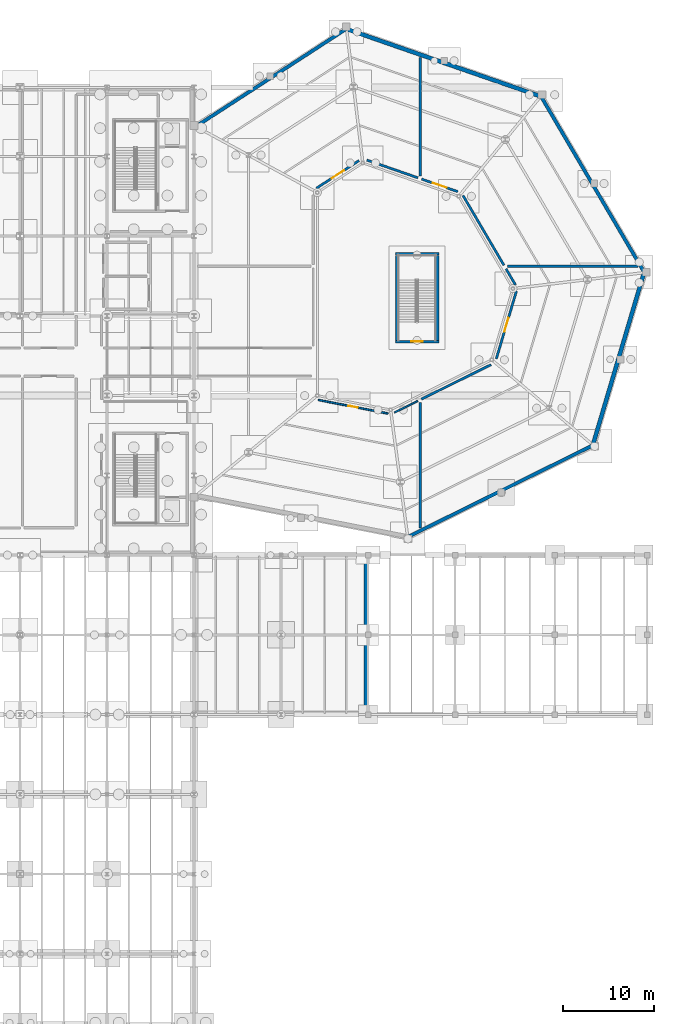
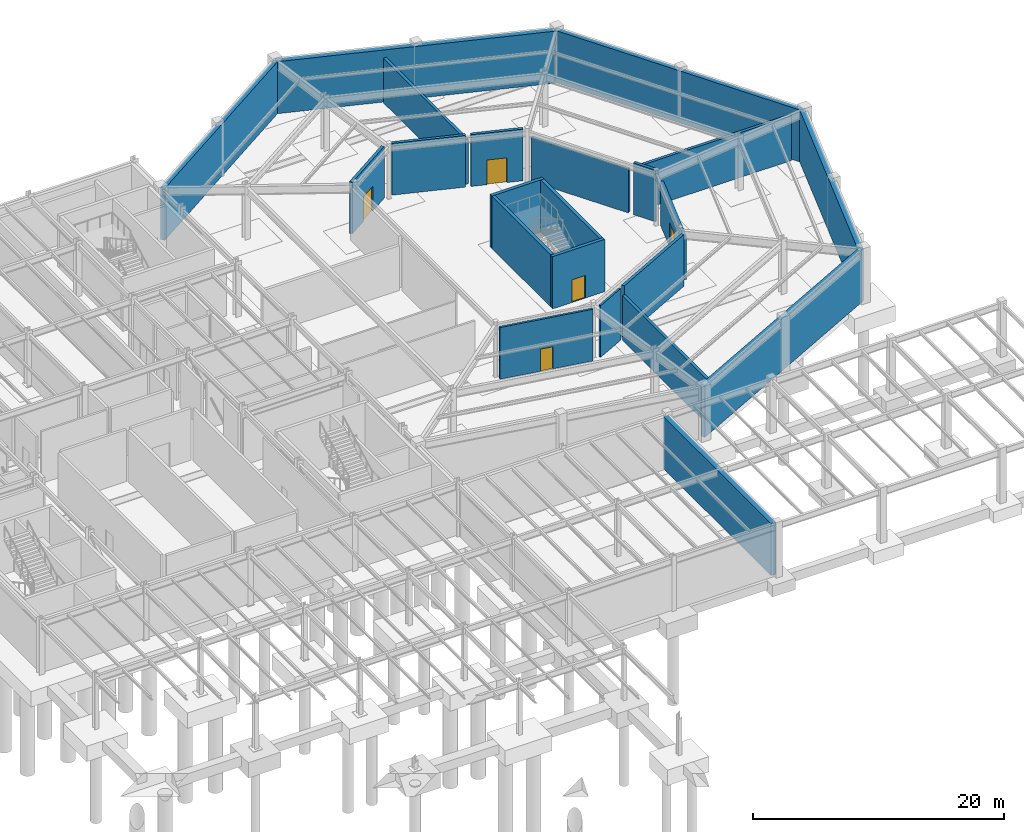
# One storey, part 37 of 48: 22 walls, 5 doors, 5 openings.
"""IFC4 building model written with IfcOpenShell, lengths in metres."""

from ifc_helpers import new_model, si_unit, direction, frame, frame_2d, origin, place, context, subcontext, project, spatial, rectangle, extrude, material, layer, layer_set, type_object, element, fill, save


model = new_model("IFC4")

# Units and contexts
model_context = context("Model", 3, precision=1e-05, world=origin(), true_north=direction((0.0, 1.0)))
body_context = subcontext(model_context, "Body", "Model", "MODEL_VIEW")
ifc_project = project(units=[si_unit("LENGTHUNIT", "METRE"), si_unit("AREAUNIT", "SQUARE_METRE"), si_unit("VOLUMEUNIT", "CUBIC_METRE"), si_unit("PLANEANGLEUNIT", "RADIAN"), si_unit("MASSUNIT", "GRAM", prefix="KILO")], contexts=[model_context])

# Site, building, storey
site_placement = place(None, origin())
site = spatial("IfcSite", under=ifc_project, at=site_placement, CompositionType="ELEMENT")
building_placement = place(site_placement, origin())
building = spatial("IfcBuilding", under=site, at=building_placement, Name="Sarnbrook Museum", CompositionType="ELEMENT")
storey_placement = place(building_placement, frame((0.0, 0.0, -5.39990234375)))
storey = spatial("IfcBuildingStorey", under=building, at=storey_placement, Name="B1", CompositionType="ELEMENT", Elevation=-5.39990234375)

# Wall, opening, door
ifc_material_1 = material(Name="Concrete N50 (AS 3600, f'c = 50 MPa)", Category="concrete")
ifc_layer_1 = layer(ifc_material_1, 0.300048828125)
ifc_layer_set_1 = layer_set([ifc_layer_1], Name="Concrete N50 (AS 3600, f'c = 50 MPa)")
wall_type_1 = type_object("IfcWallType", Name="CoreWall_CWRC", PredefinedType="SHEAR", material=ifc_layer_set_1)
wall_1_placement = place(storey_placement, frame((141.39990234375, 80.35009765625, 0.0), z_axis=(0.0, 0.0, 1.0), x_axis=(1.0, 0.0, 0.0)))
wall_1 = element("IfcWall", 1, at=wall_1_placement, inside=storey, type_object=wall_type_1, Name="Core C7 Shear Wall S B1", PredefinedType="SHEAR", context=body_context, shape_type="SweptSolid", body=[
    extrude(rectangle(XDim=4.800048828125, YDim=0.300048828125, at=frame_2d((2.39990234375, 0.0))), origin(), (0.0, 0.0, 1.0), 5.0849609375),
])
opening_1_placement = place(wall_1_placement, frame((1.77490234375, 0.0, 0.0)))
opening_1 = element("IfcOpeningElement", 2, at=opening_1_placement, cuts=wall_1, Name="Opening D-ST-ST7-B1", PredefinedType="OPENING", context=body_context, shape_type="SweptSolid", body=[
    extrude(rectangle(XDim=1.25, YDim=2.199951171875, at=frame_2d((0.625, 1.10009765625))), frame((0.0, 0.16015625, 0.0), z_axis=(0.0, -1.0, 0.0), x_axis=(1.0, 0.0, 0.0)), (0.0, 0.0, 1.0), 0.320068359375),
])
ifc_material_2 = material(Name="Tasmanian Oak Acoustic Timber", Category="wood")
door_type_1 = type_object("IfcDoorType", Name="FireDoor_FD120", OperationType="NOTDEFINED", PredefinedType="DOOR", material=ifc_material_2)
door_1_placement = place(opening_1_placement, origin())
door_1 = element("IfcDoor", 3, at=door_1_placement, inside=storey, type_object=door_type_1, Name="Exit Stair ST7 Fire Door B1", OperationType="SINGLE_SWING_LEFT", OverallHeight=2.199951171875, OverallWidth=1.25, PredefinedType="DOOR", context=body_context, shape_type="SweptSolid", body=[
    extrude(rectangle(XDim=1.25, YDim=2.199951171875, at=frame_2d((0.625, 1.10009765625))), frame((0.0, 0.02490234375, 0.0), z_axis=(0.0, -1.0, 0.0), x_axis=(1.0, 0.0, 0.0)), (0.0, 0.0, 1.0), 0.050048828125),
])
fill(opening_1, door_1)

# Walls
wall_2_placement = place(storey_placement, frame((146.199951171875, 90.050048828125, 0.0), z_axis=(0.0, 0.0, 1.0), x_axis=(-1.0, 0.0, 0.0)))
element("IfcWall", 4, at=wall_2_placement, inside=storey, type_object=wall_type_1, Name="Core C7 Shear Wall N B1", PredefinedType="SHEAR", context=body_context, shape_type="SweptSolid", body=[
    extrude(rectangle(XDim=4.800048828125, YDim=0.300048828125, at=frame_2d((2.39990234375, 0.0))), origin(), (0.0, 0.0, 1.0), 5.0849609375),
])
for number, where, z_axis, x_axis, name in (
    (5, (146.050048828125, 80.510009765625, 0.0), (0.0, 0.0, 1.0), (0.0, 1.0, 0.0), "Core C7 Shear Wall E B1"),
    (6, (141.550048828125, 89.889892578125, 0.0), (0.0, 0.0, 1.0), (0.0, -1.0, 0.0), "Core C7 Shear Wall W B1"),
):
    element("IfcWall", number, at=place(storey_placement, frame(where, z_axis=z_axis, x_axis=x_axis)), inside=storey, type_object=wall_type_1, Name=name, PredefinedType="SHEAR", context=body_context, shape_type="SweptSolid", body=[
        extrude(rectangle(XDim=9.3798828125, YDim=0.300048828125, at=frame_2d((4.68994140625, 0.0))), origin(), (0.0, 0.0, 1.0), 5.0849609375),
    ])

# Wall, opening, door
ifc_material_3 = material(Name="Concrete N40 (AS 3600, f'c = 40 MPa)", Category="concrete")
ifc_layer_2 = layer(ifc_material_3, 0.260009765625)
ifc_layer_set_2 = layer_set([ifc_layer_2], Name="Concrete N40 (AS 3600, f'c = 40 MPa)")
wall_type_2 = type_object("IfcWallType", Name="FireWall_FW240", PredefinedType="SOLIDWALL", material=ifc_layer_set_2)
wall_3_placement = place(storey_placement, frame((137.409423828125, 100.339111328125, 0.0), z_axis=(0.0, 0.0, 1.0), x_axis=(-0.838914477988, -0.544263262238, 0.0)))
wall_3 = element("IfcWall", 7, at=wall_3_placement, inside=storey, type_object=wall_type_2, Name="Interior Partition Wall B1-0020", PredefinedType="SOLIDWALL", context=body_context, shape_type="SweptSolid", body=[
    extrude(rectangle(XDim=5.599609375, YDim=0.260009765625, at=frame_2d((2.7998046875, 0.0))), origin(), (0.0, 0.0, 1.0), 5.02978515625),
])
opening_2_placement = place(wall_3_placement, frame((1.999755859375, 0.0, 0.0)))
opening_2 = element("IfcOpeningElement", 8, at=opening_2_placement, cuts=wall_3, Name="Opening D-B1-009", PredefinedType="OPENING", context=body_context, shape_type="SweptSolid", body=[
    extrude(rectangle(XDim=1.60009765625, YDim=2.39990234375, at=frame_2d((0.800048828125, 1.199951171875))), frame((0.0, 0.14013671875, 0.0), z_axis=(0.0, -1.0, 0.0), x_axis=(1.0, 0.0, 0.0)), (0.0, 0.0, 1.0), 0.280029296875),
])
ifc_material_4 = material(Name="Patinated Architectural Bronze")
door_type_2 = type_object("IfcDoorType", Name="FireDoor_FD240", OperationType="NOTDEFINED", PredefinedType="DOOR", material=ifc_material_4)
door_2_placement = place(opening_2_placement, frame((1.60009765625, 0.0, 0.0), z_axis=(0.0, 0.0, 1.0), x_axis=(-1.0, 0.0, 0.0)))
door_2 = element("IfcDoor", 9, at=door_2_placement, inside=storey, type_object=door_type_2, Name="Palaeontology Vault B1-3 Door D-B1-009", OperationType="DOUBLE_DOOR_SINGLE_SWING", OverallHeight=2.39990234375, OverallWidth=1.60009765625, PredefinedType="DOOR", context=body_context, shape_type="SweptSolid", body=[
    extrude(rectangle(XDim=1.60009765625, YDim=2.39990234375, at=frame_2d((0.800048828125, 1.199951171875))), frame((0.0, 0.02490234375, 0.0), z_axis=(0.0, -1.0, 0.0), x_axis=(1.0, 0.0, 0.0)), (0.0, 0.0, 1.0), 0.050048828125),
])
fill(opening_2, door_2)

# Wall
wall_4_placement = place(storey_placement, frame((143.900634765625, 98.4365234375, 0.0), z_axis=(0.0, 0.0, 1.0), x_axis=(-0.944669438021, 0.328023860214, 0.0)))
element("IfcWall", 10, at=wall_4_placement, inside=storey, type_object=wall_type_2, Name="Interior Partition Wall B1-0022", PredefinedType="SOLIDWALL", context=body_context, shape_type="SweptSolid", body=[
    extrude(rectangle(XDim=5.966796875, YDim=0.260009765625, at=frame_2d((2.9833984375, 0.0))), origin(), (0.0, 0.0, 1.0), 5.02978515625),
])

# Wall, opening, door
wall_5_placement = place(storey_placement, frame((152.54931640625, 78.45556640625, 0.0), z_axis=(0.0, 0.0, 1.0), x_axis=(0.284584370511, 0.958650998049, 0.0)))
wall_5 = element("IfcWall", 11, at=wall_5_placement, inside=storey, type_object=wall_type_2, Name="Interior Partition Wall B1-0023", PredefinedType="SOLIDWALL", context=body_context, shape_type="SweptSolid", body=[
    extrude(rectangle(XDim=7.808349609375, YDim=0.260009765625, at=frame_2d((3.904296875, 0.0))), origin(), (0.0, 0.0, 1.0), 4.260009765625),
])
opening_3_placement = place(wall_5_placement, frame((3.104248046875, 0.0, 0.0)))
opening_3 = element("IfcOpeningElement", 12, at=opening_3_placement, cuts=wall_5, Name="Opening D-B1-010", PredefinedType="OPENING", context=body_context, shape_type="SweptSolid", body=[
    extrude(rectangle(XDim=1.60009765625, YDim=2.39990234375, at=frame_2d((0.800048828125, 1.199951171875))), frame((0.0, 0.14013671875, 0.0), z_axis=(0.0, -1.0, 0.0), x_axis=(1.0, 0.0, 0.0)), (0.0, 0.0, 1.0), 0.280029296875),
])
door_3_placement = place(opening_3_placement, origin())
door_3 = element("IfcDoor", 13, at=door_3_placement, inside=storey, type_object=door_type_2, Name="Mineralogy Collection Vault B1-4 Door D-B1-010", OperationType="DOUBLE_DOOR_SINGLE_SWING", OverallHeight=2.39990234375, OverallWidth=1.60009765625, PredefinedType="DOOR", context=body_context, shape_type="SweptSolid", body=[
    extrude(rectangle(XDim=1.60009765625, YDim=2.39990234375, at=frame_2d((0.800048828125, 1.199951171875))), frame((0.0, 0.02490234375, 0.0), z_axis=(0.0, -1.0, 0.0), x_axis=(1.0, 0.0, 0.0)), (0.0, 0.0, 1.0), 0.050048828125),
])
fill(opening_3, door_3)

# Walls
wall_6_placement = place(storey_placement, frame((154.657958984375, 86.62890625, 0.0), z_axis=(0.0, 0.0, 1.0), x_axis=(-0.506013427862, 0.862525600097, 0.0)))
element("IfcWall", 14, at=wall_6_placement, inside=storey, type_object=wall_type_2, Name="Interior Partition Wall B1-0024", PredefinedType="SOLIDWALL", context=body_context, shape_type="SweptSolid", body=[
    extrude(rectangle(XDim=2.046142578125, YDim=0.260009765625, at=frame_2d((1.02294921875, 0.0))), origin(), (0.0, 0.0, 1.0), 5.02978515625),
])
wall_7_placement = place(storey_placement, frame((144.288818359375, 74.010986328125, 0.0), z_axis=(0.0, 0.0, 1.0), x_axis=(0.896175386907, 0.443699984113, 0.0)))
element("IfcWall", 15, at=wall_7_placement, inside=storey, type_object=wall_type_2, Name="Interior Partition Wall B1-0025", PredefinedType="SOLIDWALL", context=body_context, shape_type="SweptSolid", body=[
    extrude(rectangle(XDim=8.56884765625, YDim=0.260009765625, at=frame_2d((4.284423828125, 0.0))), origin(), (0.0, 0.0, 1.0), 5.02978515625),
])

# Wall, opening, door
wall_8_placement = place(storey_placement, frame((148.309326171875, 96.90576171875, 0.0), z_axis=(0.0, 0.0, 1.0), x_axis=(-0.944667711612, 0.328028832022, 0.0)))
wall_8 = element("IfcWall", 16, at=wall_8_placement, inside=storey, type_object=wall_type_2, Name="Interior Partition Wall B1-0026", PredefinedType="SOLIDWALL", context=body_context, shape_type="SweptSolid", body=[
    extrude(rectangle(XDim=4.236328125, YDim=0.260009765625, at=frame_2d((2.1181640625, 0.0))), origin(), (0.0, 0.0, 1.0), 5.02978515625),
])
opening_4_placement = place(wall_8_placement, frame((1.318115234375, 0.0, 0.0)))
opening_4 = element("IfcOpeningElement", 17, at=opening_4_placement, cuts=wall_8, Name="Opening D-B1-011", PredefinedType="OPENING", context=body_context, shape_type="SweptSolid", body=[
    extrude(rectangle(XDim=1.60009765625, YDim=2.39990234375, at=frame_2d((0.800048828125, 1.199951171875))), frame((0.0, 0.14013671875, 0.0), z_axis=(0.0, -1.0, 0.0), x_axis=(1.0, 0.0, 0.0)), (0.0, 0.0, 1.0), 0.280029296875),
])
door_4_placement = place(opening_4_placement, origin())
door_4 = element("IfcDoor", 18, at=door_4_placement, inside=storey, type_object=door_type_2, Name="Botany Herbarium Vault B1-5 Door D-B1-011", OperationType="DOUBLE_DOOR_SINGLE_SWING", OverallHeight=2.39990234375, OverallWidth=1.60009765625, PredefinedType="DOOR", context=body_context, shape_type="SweptSolid", body=[
    extrude(rectangle(XDim=1.60009765625, YDim=2.39990234375, at=frame_2d((0.800048828125, 1.199951171875))), frame((0.0, 0.02490234375, 0.0), z_axis=(0.0, -1.0, 0.0), x_axis=(1.0, 0.0, 0.0)), (0.0, 0.0, 1.0), 0.050048828125),
])
fill(opening_4, door_4)

# Walls
wall_9_placement = place(storey_placement, frame((153.3955078125, 88.78076171875, 0.0), z_axis=(0.0, 0.0, 1.0), x_axis=(-0.506050684721, 0.862503741727, 0.0)))
element("IfcWall", 19, at=wall_9_placement, inside=storey, type_object=wall_type_2, Name="Interior Partition Wall B1-0027", PredefinedType="SOLIDWALL", context=body_context, shape_type="SweptSolid", body=[
    extrude(rectangle(XDim=8.928466796875, YDim=0.260009765625, at=frame_2d((4.46435546875, 0.0))), origin(), (0.0, 0.0, 1.0), 4.260009765625),
])
wall_10_placement = place(storey_placement, frame((144.16015625, 73.64990234375, 0.0), z_axis=(0.0, 0.0, 1.0), x_axis=(0.0, -1.0, 0.0)))
element("IfcWall", 20, at=wall_10_placement, inside=storey, type_object=wall_type_2, Name="Interior Partition Wall B1-0114", PredefinedType="SOLIDWALL", context=body_context, shape_type="SweptSolid", body=[
    extrude(rectangle(XDim=13.86328125, YDim=0.260009765625, at=frame_2d((6.931640625, 0.0))), origin(), (0.0, 0.0, 1.0), 4.35986328125),
])
wall_11_placement = place(storey_placement, frame((144.16015625, 111.70556640625, 0.0), z_axis=(0.0, 0.0, 1.0), x_axis=(0.0, -1.0, 0.0)))
element("IfcWall", 21, at=wall_11_placement, inside=storey, type_object=wall_type_2, Name="Interior Partition Wall B1-0116", PredefinedType="SOLIDWALL", context=body_context, shape_type="SweptSolid", body=[
    extrude(rectangle(XDim=13.08447265625, YDim=0.260009765625, at=frame_2d((6.542236328125, 0.0))), origin(), (0.0, 0.0, 1.0), 4.35986328125),
])
wall_12_placement = place(storey_placement, frame((153.77685546875, 88.662841796875, 0.0), z_axis=(0.0, 0.0, 1.0), x_axis=(1.0, 0.0, 0.0)))
element("IfcWall", 22, at=wall_12_placement, inside=storey, type_object=wall_type_2, Name="Interior Partition Wall B1-0117", PredefinedType="SOLIDWALL", context=body_context, shape_type="SweptSolid", body=[
    extrude(rectangle(XDim=14.40087890625, YDim=0.260009765625, at=frame_2d((7.200439453125, 0.0))), origin(), (0.0, 0.0, 1.0), 4.35986328125),
])
ifc_material_5 = material(Name="Fire-Rated Acoustic Gypsum Plasterboard")
ifc_layer_3 = layer(ifc_material_5, 0.179931640625)
ifc_layer_set_3 = layer_set([ifc_layer_3], Name="Fire-Rated Acoustic Gypsum Plasterboard")
wall_type_3 = type_object("IfcWallType", Name="PartWall_P180", PredefinedType="PARTITIONING", material=ifc_layer_set_3)
wall_13_placement = place(storey_placement, frame((141.314697265625, 72.538330078125, 0.0), z_axis=(0.0, 0.0, 1.0), x_axis=(0.89618477276, 0.443681026272, 0.0)))
element("IfcWall", 23, at=wall_13_placement, inside=storey, type_object=wall_type_3, Name="Interior Partition Wall B1-0016", PredefinedType="PARTITIONING", context=body_context, shape_type="SweptSolid", body=[
    extrude(rectangle(XDim=2.8779296875, YDim=0.179931640625, at=frame_2d((1.43896484375, 0.0))), origin(), (0.0, 0.0, 1.0), 5.02978515625),
])

# Wall, opening, door
ifc_layer_4 = layer(ifc_material_5, 0.195068359375)
ifc_layer_set_4 = layer_set([ifc_layer_4], Name="Fire-Rated Acoustic Gypsum Plasterboard")
wall_type_4 = type_object("IfcWallType", Name="PartWall_P195", PredefinedType="PARTITIONING", material=ifc_layer_set_4)
wall_14_placement = place(storey_placement, frame((132.902099609375, 73.9267578125, 0.0), z_axis=(0.0, 0.0, 1.0), x_axis=(0.98152920164, -0.191312378918, 0.0)))
wall_14 = element("IfcWall", 24, at=wall_14_placement, inside=storey, type_object=wall_type_4, Name="Interior Partition Wall B1-0015", PredefinedType="PARTITIONING", context=body_context, shape_type="SweptSolid", body=[
    extrude(rectangle(XDim=7.85205078125, YDim=0.195068359375, at=frame_2d((3.926025390625, 0.0))), origin(), (0.0, 0.0, 1.0), 5.02978515625),
])
opening_5_placement = place(wall_14_placement, frame((3.401123046875, 0.0, 0.0)))
opening_5 = element("IfcOpeningElement", 25, at=opening_5_placement, cuts=wall_14, Name="Opening D-B1-007", PredefinedType="OPENING", context=body_context, shape_type="SweptSolid", body=[
    extrude(rectangle(XDim=1.050048828125, YDim=2.14990234375, at=frame_2d((0.52490234375, 1.074951171875))), frame((0.0, 0.107421875, 0.0), z_axis=(0.0, -1.0, 0.0), x_axis=(1.0, 0.0, 0.0)), (0.0, 0.0, 1.0), 0.215087890625),
])
door_type_3 = type_object("IfcDoorType", Name="FireDoor_FD60", OperationType="NOTDEFINED", PredefinedType="DOOR", material=ifc_material_2)
door_5_placement = place(opening_5_placement, frame((1.050048828125, 0.0, 0.0), z_axis=(0.0, 0.0, 1.0), x_axis=(-1.0, 0.0, 0.0)))
door_5 = element("IfcDoor", 26, at=door_5_placement, inside=storey, type_object=door_type_3, Name="Specimen Quarantine Room B1-1 Door D-B1-007", OperationType="SINGLE_SWING_RIGHT", OverallHeight=2.14990234375, OverallWidth=1.050048828125, PredefinedType="DOOR", context=body_context, shape_type="SweptSolid", body=[
    extrude(rectangle(XDim=1.050048828125, YDim=2.14990234375, at=frame_2d((0.52490234375, 1.074951171875))), frame((0.0, 0.02490234375, 0.0), z_axis=(0.0, -1.0, 0.0), x_axis=(1.0, 0.0, 0.0)), (0.0, 0.0, 1.0), 0.050048828125),
])
fill(opening_5, door_5)

# Walls
ifc_layer_5 = layer(ifc_material_3, 0.3798828125)
ifc_layer_set_5 = layer_set([ifc_layer_5], Name="Concrete N40 (AS 3600, f'c = 40 MPa)")
wall_type_5 = type_object("IfcWallType", Name="Wall_RetainingRC380", PredefinedType="USERDEFINED", material=ifc_layer_set_5)
wall_15_placement = place(storey_placement, frame((142.891357421875, 58.857177734375, 0.0), z_axis=(0.0, 0.0, 1.0), x_axis=(0.896160082765, 0.443730893739, 0.0)))
element("IfcWall", 27, at=wall_15_placement, inside=storey, type_object=wall_type_5, Name="Basement Perimeter Retaining Wall RW-10", ObjectType="RETAININGWALL", PredefinedType="USERDEFINED", context=body_context, shape_type="SweptSolid", body=[
    extrude(rectangle(XDim=22.791015625, YDim=0.3798828125, at=frame_2d((11.3955078125, 0.0))), origin(), (0.0, 0.0, 1.0), 5.059814453125),
])
wall_16_placement = place(storey_placement, frame((168.8369140625, 88.072998046875, 0.0), z_axis=(0.0, 0.0, 1.0), x_axis=(-0.50606126332, 0.862497534934, 0.0)))
element("IfcWall", 28, at=wall_16_placement, inside=storey, type_object=wall_type_5, Name="Basement Perimeter Retaining Wall RW-12", ObjectType="RETAININGWALL", PredefinedType="USERDEFINED", context=body_context, shape_type="SweptSolid", body=[
    extrude(rectangle(XDim=22.528564453125, YDim=0.3798828125, at=frame_2d((11.26416015625, 0.0))), origin(), (0.0, 0.0, 1.0), 5.059814453125),
])
wall_17_placement = place(storey_placement, frame((135.93896484375, 114.833984375, 0.0), z_axis=(0.0, 0.0, 1.0), x_axis=(-0.838895349303, -0.544292745604, 0.0)))
element("IfcWall", 29, at=wall_17_placement, inside=storey, type_object=wall_type_5, Name="Basement Perimeter Retaining Wall RW-14", ObjectType="RETAININGWALL", PredefinedType="USERDEFINED", context=body_context, shape_type="SweptSolid", body=[
    extrude(rectangle(XDim=19.830322265625, YDim=0.3798828125, at=frame_2d((9.9150390625, 0.0))), origin(), (0.0, 0.0, 1.0), 5.059814453125),
])
ifc_layer_6 = layer(ifc_material_3, 0.449951171875)
ifc_layer_set_6 = layer_set([ifc_layer_6], Name="Concrete N40 (AS 3600, f'c = 40 MPa)")
wall_type_6 = type_object("IfcWallType", Name="Wall_RetainingRC450", PredefinedType="USERDEFINED", material=ifc_layer_set_6)
wall_18_placement = place(storey_placement, frame((163.25, 69.08544921875, 0.0), z_axis=(0.0, 0.0, 1.0), x_axis=(0.284599705079, 0.958646445708, 0.0)))
element("IfcWall", 30, at=wall_18_placement, inside=storey, type_object=wall_type_6, Name="Basement Perimeter Retaining Wall RW-11", ObjectType="RETAININGWALL", PredefinedType="USERDEFINED", context=body_context, shape_type="SweptSolid", body=[
    extrude(rectangle(XDim=19.797119140625, YDim=0.449951171875, at=frame_2d((9.8984375, 0.0))), origin(), (0.0, 0.0, 1.0), 5.059814453125),
])
wall_19_placement = place(storey_placement, frame((157.30810546875, 107.463134765625, 0.0), z_axis=(0.0, 0.0, 1.0), x_axis=(-0.94467273581, 0.328014362822, 0.0)))
element("IfcWall", 31, at=wall_19_placement, inside=storey, type_object=wall_type_6, Name="Basement Perimeter Retaining Wall RW-13", ObjectType="RETAININGWALL", PredefinedType="USERDEFINED", context=body_context, shape_type="SweptSolid", body=[
    extrude(rectangle(XDim=22.634033203125, YDim=0.449951171875, at=frame_2d((11.31689453125, 0.0))), origin(), (0.0, 0.0, 1.0), 5.059814453125),
])
wall_20_placement = place(storey_placement, frame((138.175048828125, 39.430908203125, 0.0), z_axis=(0.0, 0.0, 1.0), x_axis=(0.0, 1.0, 0.0)))
element("IfcWall", 32, at=wall_20_placement, inside=storey, type_object=wall_type_6, Name="Basement Perimeter Retaining Wall RW-31", ObjectType="RETAININGWALL", PredefinedType="USERDEFINED", context=body_context, shape_type="SweptSolid", body=[
    extrude(rectangle(XDim=17.13818359375, YDim=0.449951171875, at=frame_2d((8.569091796875, 0.0))), origin(), (0.0, 0.0, 1.0), 5.059814453125),
])

save(model, "model.ifc")
